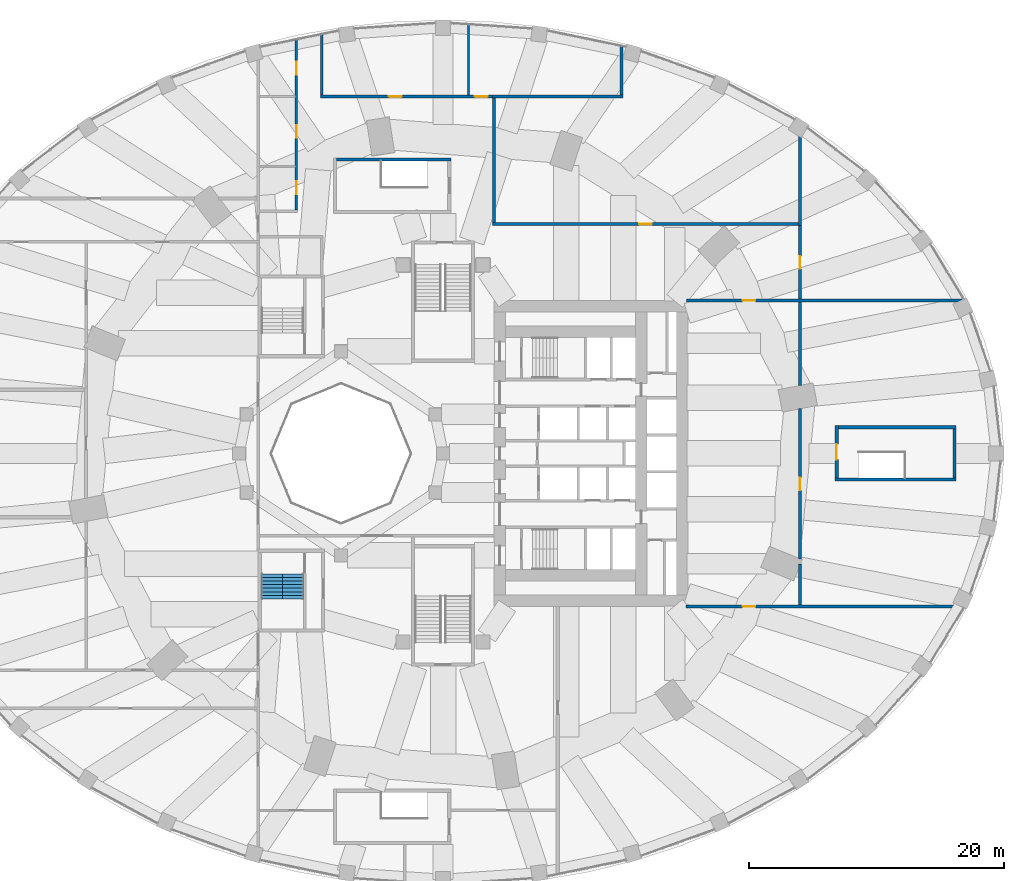
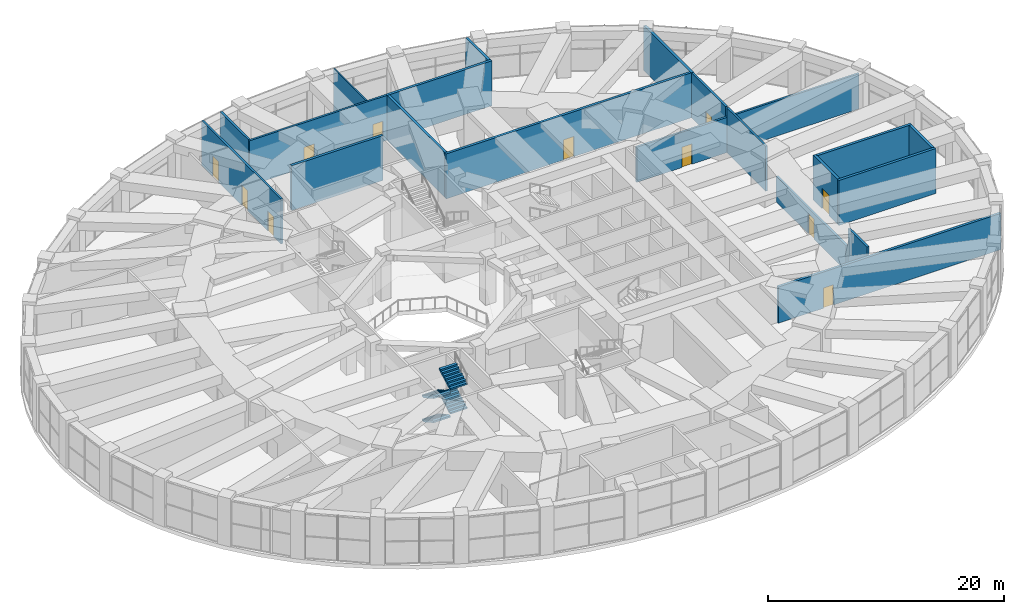
# One storey, part 24 of 30: 20 walls, 11 doors, 4 stair flights, 11 openings, 1 element without a shape of its own.
"""IFC4 building model written with IfcOpenShell, lengths in metres."""

from ifc_helpers import new_model, si_unit, direction, frame, frame_2d, origin, place, context, subcontext, project, spatial, polyline, rectangle, outline, extrude, material, layer, layer_set, type_object, element, fill, aggregate, save


model = new_model("IFC4")

# Units and contexts
model_context = context("Model", 3, precision=1e-05, world=origin(), true_north=direction((0.0, 1.0)))
body_context = subcontext(model_context, "Body", "Model", "MODEL_VIEW")
ifc_project = project(units=[si_unit("LENGTHUNIT", "METRE"), si_unit("AREAUNIT", "SQUARE_METRE"), si_unit("VOLUMEUNIT", "CUBIC_METRE"), si_unit("PLANEANGLEUNIT", "RADIAN"), si_unit("MASSUNIT", "GRAM", prefix="KILO")], contexts=[model_context])

# Site, building, storey
site_placement = place(None, origin())
site = spatial("IfcSite", under=ifc_project, at=site_placement, CompositionType="ELEMENT")
building_placement = place(site_placement, origin())
building = spatial("IfcBuilding", under=site, at=building_placement, Name="Taillehof Tower", CompositionType="ELEMENT")
storey_placement = place(building_placement, frame((0.0, 0.0, 12.5)))
storey = spatial("IfcBuildingStorey", under=building, at=storey_placement, Name="L02", CompositionType="ELEMENT", Elevation=12.5)

# Wall, opening, door
ifc_material_1 = material(Name="Calcium silicate blockwork", Category="masonry")
ifc_layer_1 = layer(ifc_material_1, 0.199951171875)
ifc_layer_set_1 = layer_set([ifc_layer_1], Name="Compartment wall EI 60 200 mm")
wall_type_1 = type_object("IfcWallType", Name="Compartment wall EI 60 200 mm", PredefinedType="PARTITIONING", material=ifc_layer_set_1)
wall_1_placement = place(storey_placement, frame((19.10009765625, 12.0, 0.0), z_axis=(0.0, 0.0, 1.0), x_axis=(1.0, 0.0, 0.0)))
wall_1 = element("IfcWall", 1, at=wall_1_placement, inside=storey, type_object=wall_type_1, Name="Wall L02-13 / L02-26", PredefinedType="PARTITIONING", context=body_context, shape_type="SweptSolid", body=[
    extrude(rectangle(XDim=21.766845703125, YDim=0.199951171875, at=frame_2d((10.88330078125, 0.0))), origin(), (0.0, 0.0, 1.0), 3.64990234375),
])
opening_1_placement = place(wall_1_placement, frame((4.39990234375, 0.0, 0.0)))
opening_1 = element("IfcOpeningElement", 2, at=opening_1_placement, cuts=wall_1, Name="Opening D0260", PredefinedType="OPENING", context=body_context, shape_type="SweptSolid", body=[
    extrude(rectangle(XDim=1.0, YDim=2.10009765625, at=frame_2d((0.5, 1.050048828125))), frame((0.0, 0.10986328125, 0.0), z_axis=(0.0, -1.0, 0.0), x_axis=(1.0, 0.0, 0.0)), (0.0, 0.0, 1.0), 0.219970703125),
])
ifc_material_2 = material(Name="Hollow metal door set")
door_type_1 = type_object("IfcDoorType", Name="Single door 1000 x 2100 FD60S", OperationType="SINGLE_SWING_LEFT", PredefinedType="DOOR", material=ifc_material_2)
door_1_placement = place(opening_1_placement, origin())
door_1 = element("IfcDoor", 3, at=door_1_placement, inside=storey, type_object=door_type_1, Name="Door D0260", OperationType="SINGLE_SWING_LEFT", OverallHeight=2.10009765625, OverallWidth=1.0, PredefinedType="DOOR", context=body_context, shape_type="SweptSolid", body=[
    extrude(rectangle(XDim=1.0, YDim=2.10009765625, at=frame_2d((0.5, 1.050048828125))), frame((0.0, 0.02490234375, 0.0), z_axis=(0.0, -1.0, 0.0), x_axis=(1.0, 0.0, 0.0)), (0.0, 0.0, 1.0), 0.050048828125),
])
fill(opening_1, door_1)

# Wall, openings, doors
wall_2_placement = place(storey_placement, frame((-9.60009765625, 28.0, 0.0), z_axis=(0.0, 0.0, 1.0), x_axis=(1.0, 0.0, 0.0)))
wall_2 = element("IfcWall", 4, at=wall_2_placement, inside=storey, type_object=wall_type_1, Name="Wall L02-10 / L02-26", PredefinedType="PARTITIONING", context=body_context, shape_type="SweptSolid", body=[
    extrude(rectangle(XDim=13.47509765625, YDim=0.199951171875, at=frame_2d((6.737548828125, 0.0))), origin(), (0.0, 0.0, 1.0), 4.64990234375),
])
opening_2_placement = place(wall_2_placement, frame((5.35009765625, 0.0, 0.0)))
opening_2 = element("IfcOpeningElement", 5, at=opening_2_placement, cuts=wall_2, Name="Opening D0272", PredefinedType="OPENING", context=body_context, shape_type="SweptSolid", body=[
    extrude(rectangle(XDim=1.0, YDim=2.10009765625, at=frame_2d((0.5, 1.050048828125))), frame((0.0, 0.10986328125, 0.0), z_axis=(0.0, -1.0, 0.0), x_axis=(1.0, 0.0, 0.0)), (0.0, 0.0, 1.0), 0.219970703125),
])
opening_3_placement = place(wall_2_placement, frame((12.0869140625, 0.0, 0.0)))
opening_3 = element("IfcOpeningElement", 6, at=opening_3_placement, cuts=wall_2, Name="Opening D0273", PredefinedType="OPENING", context=body_context, shape_type="SweptSolid", body=[
    extrude(rectangle(XDim=1.0, YDim=2.10009765625, at=frame_2d((0.5, 1.050048828125))), frame((0.0, 0.10986328125, 0.0), z_axis=(0.0, -1.0, 0.0), x_axis=(1.0, 0.0, 0.0)), (0.0, 0.0, 1.0), 0.219970703125),
])
door_2_placement = place(opening_2_placement, origin())
door_2 = element("IfcDoor", 7, at=door_2_placement, inside=storey, type_object=door_type_1, Name="Door D0272", OperationType="SINGLE_SWING_LEFT", OverallHeight=2.10009765625, OverallWidth=1.0, PredefinedType="DOOR", context=body_context, shape_type="SweptSolid", body=[
    extrude(rectangle(XDim=1.0, YDim=2.10009765625, at=frame_2d((0.5, 1.050048828125))), frame((0.0, 0.02490234375, 0.0), z_axis=(0.0, -1.0, 0.0), x_axis=(1.0, 0.0, 0.0)), (0.0, 0.0, 1.0), 0.050048828125),
])
fill(opening_2, door_2)
door_3_placement = place(opening_3_placement, origin())
door_3 = element("IfcDoor", 8, at=door_3_placement, inside=storey, type_object=door_type_1, Name="Door D0273", OperationType="SINGLE_SWING_LEFT", OverallHeight=2.10009765625, OverallWidth=1.0, PredefinedType="DOOR", context=body_context, shape_type="SweptSolid", body=[
    extrude(rectangle(XDim=1.0, YDim=2.10009765625, at=frame_2d((0.5, 1.050048828125))), frame((0.0, 0.02490234375, 0.0), z_axis=(0.0, -1.0, 0.0), x_axis=(1.0, 0.0, 0.0)), (0.0, 0.0, 1.0), 0.050048828125),
])
fill(opening_3, door_3)

wall_3_placement = place(storey_placement, frame((-11.5, 19.10009765625, 0.0), z_axis=(0.0, 0.0, 1.0), x_axis=(0.0, 1.0, 0.0)))
wall_3 = element("IfcWall", 9, at=wall_3_placement, inside=storey, type_object=wall_type_1, Name="Wall L02-06 / L02-26", PredefinedType="PARTITIONING", context=body_context, shape_type="SweptSolid", body=[
    extrude(rectangle(XDim=13.431884765625, YDim=0.199951171875, at=frame_2d((6.7158203125, 0.0))), origin(), (0.0, 0.0, 1.0), 4.64990234375),
])
opening_4_placement = place(wall_3_placement, frame((1.25, 0.0, 0.0)))
opening_4 = element("IfcOpeningElement", 10, at=opening_4_placement, cuts=wall_3, Name="Opening D0269", PredefinedType="OPENING", context=body_context, shape_type="SweptSolid", body=[
    extrude(rectangle(XDim=1.0, YDim=2.10009765625, at=frame_2d((0.5, 1.050048828125))), frame((0.0, 0.10986328125, 0.0), z_axis=(0.0, -1.0, 0.0), x_axis=(1.0, 0.0, 0.0)), (0.0, 0.0, 1.0), 0.219970703125),
])
opening_5_placement = place(wall_3_placement, frame((5.64990234375, 0.0, 0.0)))
opening_5 = element("IfcOpeningElement", 11, at=opening_5_placement, cuts=wall_3, Name="Opening D0271", PredefinedType="OPENING", context=body_context, shape_type="SweptSolid", body=[
    extrude(rectangle(XDim=1.0, YDim=2.10009765625, at=frame_2d((0.5, 1.050048828125))), frame((0.0, 0.10986328125, 0.0), z_axis=(0.0, -1.0, 0.0), x_axis=(1.0, 0.0, 0.0)), (0.0, 0.0, 1.0), 0.219970703125),
])
opening_6_placement = place(wall_3_placement, frame((10.615966796875, 0.0, 0.0)))
opening_6 = element("IfcOpeningElement", 12, at=opening_6_placement, cuts=wall_3, Name="Opening D0274", PredefinedType="OPENING", context=body_context, shape_type="SweptSolid", body=[
    extrude(rectangle(XDim=1.0, YDim=2.10009765625, at=frame_2d((0.5, 1.050048828125))), frame((0.0, 0.10986328125, 0.0), z_axis=(0.0, -1.0, 0.0), x_axis=(1.0, 0.0, 0.0)), (0.0, 0.0, 1.0), 0.219970703125),
])
door_4_placement = place(opening_4_placement, origin())
door_4 = element("IfcDoor", 13, at=door_4_placement, inside=storey, type_object=door_type_1, Name="Door D0269", OperationType="SINGLE_SWING_RIGHT", OverallHeight=2.10009765625, OverallWidth=1.0, PredefinedType="DOOR", context=body_context, shape_type="SweptSolid", body=[
    extrude(rectangle(XDim=1.0, YDim=2.10009765625, at=frame_2d((0.5, 1.050048828125))), frame((0.0, 0.02490234375, 0.0), z_axis=(0.0, -1.0, 0.0), x_axis=(1.0, 0.0, 0.0)), (0.0, 0.0, 1.0), 0.050048828125),
])
fill(opening_4, door_4)
door_5_placement = place(opening_5_placement, origin())
door_5 = element("IfcDoor", 14, at=door_5_placement, inside=storey, type_object=door_type_1, Name="Door D0271", OperationType="SINGLE_SWING_RIGHT", OverallHeight=2.10009765625, OverallWidth=1.0, PredefinedType="DOOR", context=body_context, shape_type="SweptSolid", body=[
    extrude(rectangle(XDim=1.0, YDim=2.10009765625, at=frame_2d((0.5, 1.050048828125))), frame((0.0, 0.02490234375, 0.0), z_axis=(0.0, -1.0, 0.0), x_axis=(1.0, 0.0, 0.0)), (0.0, 0.0, 1.0), 0.050048828125),
])
fill(opening_5, door_5)
door_6_placement = place(opening_6_placement, origin())
door_6 = element("IfcDoor", 15, at=door_6_placement, inside=storey, type_object=door_type_1, Name="Door D0274", OperationType="SINGLE_SWING_LEFT", OverallHeight=2.10009765625, OverallWidth=1.0, PredefinedType="DOOR", context=body_context, shape_type="SweptSolid", body=[
    extrude(rectangle(XDim=1.0, YDim=2.10009765625, at=frame_2d((0.5, 1.050048828125))), frame((0.0, 0.02490234375, 0.0), z_axis=(0.0, -1.0, 0.0), x_axis=(1.0, 0.0, 0.0)), (0.0, 0.0, 1.0), 0.050048828125),
])
fill(opening_6, door_6)

# Walls
wall_4_placement = place(storey_placement, frame((-9.5, 28.10009765625, 0.0), z_axis=(0.0, 0.0, 1.0), x_axis=(0.0, 1.0, 0.0)))
element("IfcWall", 16, at=wall_4_placement, inside=storey, type_object=wall_type_1, Name="Wall L02-10 / L02-26", PredefinedType="PARTITIONING", context=body_context, shape_type="SweptSolid", body=[
    extrude(rectangle(XDim=4.780517578125, YDim=0.199951171875, at=frame_2d((2.39013671875, 0.0))), origin(), (0.0, 0.0, 1.0), 4.64990234375),
])
wall_5_placement = place(storey_placement, frame((28.0, -11.875, 0.0), z_axis=(0.0, 0.0, 1.0), x_axis=(0.0, 1.0, 0.0)))
element("IfcWall", 17, at=wall_5_placement, inside=storey, type_object=wall_type_1, Name="Wall L02-13 / L02-14", PredefinedType="PARTITIONING", context=body_context, shape_type="SweptSolid", body=[
    extrude(rectangle(XDim=3.197998046875, YDim=0.199951171875, at=frame_2d((1.59912109375, 0.0))), origin(), (0.0, 0.0, 1.0), 4.64990234375),
])

# Wall, opening, door
wall_6_placement = place(storey_placement, frame((28.0, -8.297607421875, 0.0), z_axis=(0.0, 0.0, 1.0), x_axis=(0.0, 1.0, 0.0)))
wall_6 = element("IfcWall", 18, at=wall_6_placement, inside=storey, type_object=wall_type_1, Name="Wall L02-13 / L02-14", PredefinedType="PARTITIONING", context=body_context, shape_type="SweptSolid", body=[
    extrude(rectangle(XDim=11.822021484375, YDim=0.199951171875, at=frame_2d((5.9111328125, 0.0))), origin(), (0.0, 0.0, 1.0), 2.64990234375),
])
opening_7_placement = place(wall_6_placement, frame((5.41064453125, 0.0, 0.0)))
opening_7 = element("IfcOpeningElement", 19, at=opening_7_placement, cuts=wall_6, Name="Opening D0256", PredefinedType="OPENING", context=body_context, shape_type="SweptSolid", body=[
    extrude(rectangle(XDim=1.0, YDim=2.10009765625, at=frame_2d((0.5, 1.050048828125))), frame((0.0, 0.10986328125, 0.0), z_axis=(0.0, -1.0, 0.0), x_axis=(1.0, 0.0, 0.0)), (0.0, 0.0, 1.0), 0.219970703125),
])
door_7_placement = place(opening_7_placement, origin())
door_7 = element("IfcDoor", 20, at=door_7_placement, inside=storey, type_object=door_type_1, Name="Door D0256", OperationType="SINGLE_SWING_RIGHT", OverallHeight=2.10009765625, OverallWidth=1.0, PredefinedType="DOOR", context=body_context, shape_type="SweptSolid", body=[
    extrude(rectangle(XDim=1.0, YDim=2.10009765625, at=frame_2d((0.5, 1.050048828125))), frame((0.0, 0.02490234375, 0.0), z_axis=(0.0, -1.0, 0.0), x_axis=(1.0, 0.0, 0.0)), (0.0, 0.0, 1.0), 0.050048828125),
])
fill(opening_7, door_7)

# Wall
wall_7_placement = place(storey_placement, frame((28.0, 5.3154296875, 0.0), z_axis=(0.0, 0.0, 1.0), x_axis=(0.0, 1.0, 0.0)))
element("IfcWall", 21, at=wall_7_placement, inside=storey, type_object=wall_type_1, Name="Wall L02-13 / L02-14", PredefinedType="PARTITIONING", context=body_context, shape_type="SweptSolid", body=[
    extrude(rectangle(XDim=6.58447265625, YDim=0.199951171875, at=frame_2d((3.292236328125, 0.0))), origin(), (0.0, 0.0, 1.0), 4.64990234375),
])

# Wall, opening, door
wall_8_placement = place(storey_placement, frame((28.0, 12.10009765625, 0.0), z_axis=(0.0, 0.0, 1.0), x_axis=(0.0, 1.0, 0.0)))
wall_8 = element("IfcWall", 22, at=wall_8_placement, inside=storey, type_object=wall_type_1, Name="Wall L02-15 / L02-26", PredefinedType="PARTITIONING", context=body_context, shape_type="SweptSolid", body=[
    extrude(rectangle(XDim=5.77490234375, YDim=0.199951171875, at=frame_2d((2.887451171875, 0.0))), origin(), (0.0, 0.0, 1.0), 4.64990234375),
])
opening_8_placement = place(wall_8_placement, frame((2.387939453125, 0.0, 0.0)))
opening_8 = element("IfcOpeningElement", 23, at=opening_8_placement, cuts=wall_8, Name="Opening D0262", PredefinedType="OPENING", context=body_context, shape_type="SweptSolid", body=[
    extrude(rectangle(XDim=1.0, YDim=2.10009765625, at=frame_2d((0.5, 1.050048828125))), frame((0.0, 0.10986328125, 0.0), z_axis=(0.0, -1.0, 0.0), x_axis=(1.0, 0.0, 0.0)), (0.0, 0.0, 1.0), 0.219970703125),
])
door_8_placement = place(opening_8_placement, origin())
door_8 = element("IfcDoor", 24, at=door_8_placement, inside=storey, type_object=door_type_1, Name="Door D0262", OperationType="SINGLE_SWING_RIGHT", OverallHeight=2.10009765625, OverallWidth=1.0, PredefinedType="DOOR", context=body_context, shape_type="SweptSolid", body=[
    extrude(rectangle(XDim=1.0, YDim=2.10009765625, at=frame_2d((0.5, 1.050048828125))), frame((0.0, 0.02490234375, 0.0), z_axis=(0.0, -1.0, 0.0), x_axis=(1.0, 0.0, 0.0)), (0.0, 0.0, 1.0), 0.050048828125),
])
fill(opening_8, door_8)

ifc_material_3 = material(Name="Calcium silicate blockwork", Category="masonry")
ifc_layer_2 = layer(ifc_material_3, 0.25)
ifc_layer_set_2 = layer_set([ifc_layer_2], Name="Fire-resisting wall EI 120 250 mm")
wall_type_2 = type_object("IfcWallType", Name="Fire-resisting wall EI 120 250 mm", PredefinedType="PARTITIONING", material=ifc_layer_set_2)
wall_9_placement = place(storey_placement, frame((19.074951171875, -12.0, 0.0), z_axis=(0.0, 0.0, 1.0), x_axis=(1.0, 0.0, 0.0)))
wall_9 = element("IfcWall", 25, at=wall_9_placement, inside=storey, type_object=wall_type_2, Name="Wall L02-13 / L02-27", PredefinedType="PARTITIONING", context=body_context, shape_type="SweptSolid", body=[
    extrude(rectangle(XDim=21.8056640625, YDim=0.25, at=frame_2d((10.90283203125, 0.0))), origin(), (0.0, 0.0, 1.0), 3.75),
])
opening_9_placement = place(wall_9_placement, frame((4.425048828125, 0.0, 0.0)))
opening_9 = element("IfcOpeningElement", 26, at=opening_9_placement, cuts=wall_9, Name="Opening D0252", PredefinedType="OPENING", context=body_context, shape_type="SweptSolid", body=[
    extrude(rectangle(XDim=1.0, YDim=2.10009765625, at=frame_2d((0.5, 1.050048828125))), frame((0.0, 0.135009765625, 0.0), z_axis=(0.0, -1.0, 0.0), x_axis=(1.0, 0.0, 0.0)), (0.0, 0.0, 1.0), 0.27001953125),
])
ifc_material_4 = material(Name="Hollow metal door set")
door_type_2 = type_object("IfcDoorType", Name="Single door 1000 x 2100 FD120S", OperationType="SINGLE_SWING_LEFT", PredefinedType="DOOR", material=ifc_material_4)
door_9_placement = place(opening_9_placement, origin())
door_9 = element("IfcDoor", 27, at=door_9_placement, inside=storey, type_object=door_type_2, Name="Door D0252", OperationType="SINGLE_SWING_RIGHT", OverallHeight=2.10009765625, OverallWidth=1.0, PredefinedType="DOOR", context=body_context, shape_type="SweptSolid", body=[
    extrude(rectangle(XDim=1.0, YDim=2.10009765625, at=frame_2d((0.5, 1.050048828125))), frame((0.0, 0.02490234375, 0.0), z_axis=(0.0, -1.0, 0.0), x_axis=(1.0, 0.0, 0.0)), (0.0, 0.0, 1.0), 0.050048828125),
])
fill(opening_9, door_9)

wall_10_placement = place(storey_placement, frame((3.875, 18.0, 0.0), z_axis=(0.0, 0.0, 1.0), x_axis=(1.0, 0.0, 0.0)))
wall_10 = element("IfcWall", 28, at=wall_10_placement, inside=storey, type_object=wall_type_2, Name="Wall L02-12 / L02-26", PredefinedType="PARTITIONING", context=body_context, shape_type="SweptSolid", body=[
    extrude(rectangle(XDim=24.0, YDim=0.25, at=frame_2d((12.0, 0.0))), origin(), (0.0, 0.0, 1.0), 4.64990234375),
])
opening_10_placement = place(wall_10_placement, frame((11.5, 0.0, 0.0)))
opening_10 = element("IfcOpeningElement", 29, at=opening_10_placement, cuts=wall_10, Name="Opening D0267", PredefinedType="OPENING", context=body_context, shape_type="SweptSolid", body=[
    extrude(rectangle(XDim=1.0, YDim=2.10009765625, at=frame_2d((0.5, 1.050048828125))), frame((0.0, 0.135009765625, 0.0), z_axis=(0.0, -1.0, 0.0), x_axis=(1.0, 0.0, 0.0)), (0.0, 0.0, 1.0), 0.27001953125),
])
door_10_placement = place(opening_10_placement, origin())
door_10 = element("IfcDoor", 30, at=door_10_placement, inside=storey, type_object=door_type_2, Name="Door D0267", OperationType="SINGLE_SWING_RIGHT", OverallHeight=2.10009765625, OverallWidth=1.0, PredefinedType="DOOR", context=body_context, shape_type="SweptSolid", body=[
    extrude(rectangle(XDim=1.0, YDim=2.10009765625, at=frame_2d((0.5, 1.050048828125))), frame((0.0, 0.02490234375, 0.0), z_axis=(0.0, -1.0, 0.0), x_axis=(1.0, 0.0, 0.0)), (0.0, 0.0, 1.0), 0.050048828125),
])
fill(opening_10, door_10)

# Walls
wall_11_placement = place(storey_placement, frame((3.875, 28.0, 0.0), z_axis=(0.0, 0.0, 1.0), x_axis=(1.0, 0.0, 0.0)))
element("IfcWall", 31, at=wall_11_placement, inside=storey, type_object=wall_type_2, Name="Wall L02-11 / L02-12", PredefinedType="PARTITIONING", context=body_context, shape_type="SweptSolid", body=[
    extrude(rectangle(XDim=10.25, YDim=0.25, at=frame_2d((5.125, 0.0))), origin(), (0.0, 0.0, 1.0), 4.64990234375),
])
wall_12_placement = place(storey_placement, frame((4.0, 18.125, 0.0), z_axis=(0.0, 0.0, 1.0), x_axis=(0.0, 1.0, 0.0)))
element("IfcWall", 32, at=wall_12_placement, inside=storey, type_object=wall_type_2, Name="Wall L02-12 / L02-26", PredefinedType="PARTITIONING", context=body_context, shape_type="SweptSolid", body=[
    extrude(rectangle(XDim=9.75, YDim=0.25, at=frame_2d((4.875, 0.0))), origin(), (0.0, 0.0, 1.0), 4.64990234375),
])
wall_13_placement = place(storey_placement, frame((14.0, 28.125, 0.0), z_axis=(0.0, 0.0, 1.0), x_axis=(0.0, 1.0, 0.0)))
element("IfcWall", 33, at=wall_13_placement, inside=storey, type_object=wall_type_2, Name="Wall L02-11 / L02-12", PredefinedType="PARTITIONING", context=body_context, shape_type="SweptSolid", body=[
    extrude(rectangle(XDim=3.8056640625, YDim=0.25, at=frame_2d((1.90283203125, 0.0))), origin(), (0.0, 0.0, 1.0), 4.64990234375),
])
wall_14_placement = place(storey_placement, frame((28.0, 17.875, 0.0), z_axis=(0.0, 0.0, 1.0), x_axis=(0.0, 1.0, 0.0)))
element("IfcWall", 34, at=wall_14_placement, inside=storey, type_object=wall_type_2, Name="Wall L02-12 / L02-15", PredefinedType="PARTITIONING", context=body_context, shape_type="SweptSolid", body=[
    extrude(rectangle(XDim=8.071533203125, YDim=0.25, at=frame_2d((4.03564453125, 0.0))), origin(), (0.0, 0.0, 1.0), 4.64990234375),
])
ifc_material_5 = material(Name="Gypsum board partition on steel studs", Category="steel")
ifc_layer_3 = layer(ifc_material_5, 0.125)
ifc_layer_set_3 = layer_set([ifc_layer_3], Name="Partition wall EI 30 125 mm")
wall_type_3 = type_object("IfcWallType", Name="Partition wall EI 30 125 mm", PredefinedType="PARTITIONING", material=ifc_layer_set_3)
wall_15_placement = place(storey_placement, frame((2.0, 28.10009765625, 0.0), z_axis=(0.0, 0.0, 1.0), x_axis=(0.0, 1.0, 0.0)))
element("IfcWall", 35, at=wall_15_placement, inside=storey, type_object=wall_type_3, Name="Wall L02-10 / L02-11", PredefinedType="PARTITIONING", context=body_context, shape_type="SweptSolid", body=[
    extrude(rectangle(XDim=5.536865234375, YDim=0.125, at=frame_2d((2.7685546875, 0.0))), origin(), (0.0, 0.0, 1.0), 4.64990234375),
])
ifc_material_6 = material(Name="Concrete C40/50", Category="concrete")
ifc_layer_4 = layer(ifc_material_6, 0.25)
ifc_layer_set_4 = layer_set([ifc_layer_4], Name="Stair wall EI 120 250 mm")
wall_type_4 = type_object("IfcWallType", Name="Stair wall EI 120 250 mm", PredefinedType="SOLIDWALL", material=ifc_layer_set_4)
wall_16_placement = place(storey_placement, frame((30.75, -2.050048828125, 0.0), z_axis=(0.0, 0.0, 1.0), x_axis=(1.0, 0.0, 0.0)))
element("IfcWall", 36, at=wall_16_placement, inside=storey, type_object=wall_type_4, Name="Wall L02-05 / L02-14", PredefinedType="SOLIDWALL", context=body_context, shape_type="SweptSolid", body=[
    extrude(rectangle(XDim=9.5, YDim=0.25, at=frame_2d((4.75, 0.0))), origin(), (0.0, 0.0, 1.0), 4.64990234375),
])
wall_17_placement = place(storey_placement, frame((31.0, 2.050048828125, 0.0), z_axis=(0.0, 0.0, 1.0), x_axis=(1.0, 0.0, 0.0)))
element("IfcWall", 37, at=wall_17_placement, inside=storey, type_object=wall_type_4, Name="Wall L02-05 / L02-14", PredefinedType="SOLIDWALL", context=body_context, shape_type="SweptSolid", body=[
    extrude(rectangle(XDim=9.25, YDim=0.25, at=frame_2d((4.625, 0.0))), origin(), (0.0, 0.0, 1.0), 4.64990234375),
])
wall_18_placement = place(storey_placement, frame((-8.360107421875, 23.050048828125, 0.0), z_axis=(0.0, 0.0, 1.0), x_axis=(1.0, 0.0, 0.0)))
element("IfcWall", 38, at=wall_18_placement, inside=storey, type_object=wall_type_4, Name="Wall L02-03 / L02-26", PredefinedType="SOLIDWALL", context=body_context, shape_type="SweptSolid", body=[
    extrude(rectangle(XDim=8.97021484375, YDim=0.25, at=frame_2d((4.485107421875, 0.0))), origin(), (0.0, 0.0, 1.0), 4.64990234375),
])

# Wall, opening, door
wall_19_placement = place(storey_placement, frame((30.875, -1.925048828125, 0.0), z_axis=(0.0, 0.0, 1.0), x_axis=(0.0, 1.0, 0.0)))
wall_19 = element("IfcWall", 39, at=wall_19_placement, inside=storey, type_object=wall_type_4, Name="Wall L02-05 / L02-14", PredefinedType="SOLIDWALL", context=body_context, shape_type="SweptSolid", body=[
    extrude(rectangle(XDim=4.10009765625, YDim=0.25, at=frame_2d((2.050048828125, 0.0))), origin(), (0.0, 0.0, 1.0), 4.64990234375),
])
opening_11_placement = place(wall_19_placement, frame((1.449951171875, 0.0, 0.0)))
opening_11 = element("IfcOpeningElement", 40, at=opening_11_placement, cuts=wall_19, Name="Opening D0257", PredefinedType="OPENING", context=body_context, shape_type="SweptSolid", body=[
    extrude(rectangle(XDim=1.199951171875, YDim=2.10009765625, at=frame_2d((0.60009765625, 1.050048828125))), frame((0.0, 0.135009765625, 0.0), z_axis=(0.0, -1.0, 0.0), x_axis=(1.0, 0.0, 0.0)), (0.0, 0.0, 1.0), 0.27001953125),
])
ifc_material_7 = material(Name="Hollow metal door set")
door_type_3 = type_object("IfcDoorType", Name="Single door 1200 x 2100 FD120S", OperationType="SINGLE_SWING_LEFT", PredefinedType="DOOR", material=ifc_material_7)
door_11_placement = place(opening_11_placement, origin())
door_11 = element("IfcDoor", 41, at=door_11_placement, inside=storey, type_object=door_type_3, Name="Door D0257", OperationType="SINGLE_SWING_RIGHT", OverallHeight=2.10009765625, OverallWidth=1.199951171875, PredefinedType="DOOR", context=body_context, shape_type="SweptSolid", body=[
    extrude(rectangle(XDim=1.199951171875, YDim=2.10009765625, at=frame_2d((0.60009765625, 1.050048828125))), frame((0.0, 0.02490234375, 0.0), z_axis=(0.0, -1.0, 0.0), x_axis=(1.0, 0.0, 0.0)), (0.0, 0.0, 1.0), 0.050048828125),
])
fill(opening_11, door_11)

# Wall
wall_20_placement = place(storey_placement, frame((40.125, -1.925048828125, 0.0), z_axis=(0.0, 0.0, 1.0), x_axis=(0.0, 1.0, 0.0)))
element("IfcWall", 42, at=wall_20_placement, inside=storey, type_object=wall_type_4, Name="Wall L02-05 / L02-14", PredefinedType="SOLIDWALL", context=body_context, shape_type="SweptSolid", body=[
    extrude(rectangle(XDim=3.85009765625, YDim=0.25, at=frame_2d((1.925048828125, 0.0))), origin(), (0.0, 0.0, 1.0), 4.64990234375),
])

# Stair, stair flights
ifc_material_8 = material(Name="Concrete C40/50", Category="concrete")
stair_type = type_object("IfcStairType", Name="Exit stair half-turn", PredefinedType="HALF_TURN_STAIR", material=ifc_material_8)
stair_placement = place(storey_placement, origin())
stair = element("IfcStair", 43, at=stair_placement, inside=storey, type_object=stair_type, Name="Exit stair S4", PredefinedType="HALF_TURN_STAIR")
ifc_material_9 = material(Name="Concrete C40/50", Category="concrete")
stair_flight_type = type_object("IfcStairFlightType", Name="Stair flight 1650 riser 156.2 going 280", PredefinedType="STRAIGHT", material=ifc_material_9)
stair_flight_1_placement = place(storey_placement, frame((-13.425048828125, -9.449951171875, 0.0), z_axis=(0.0, 0.0, 1.0), x_axis=(0.0, -1.0, 0.0)))
stair_flight_1 = element("IfcStairFlight", 44, at=stair_flight_1_placement, type_object=stair_flight_type, Name="S4 flight 1", NumberOfRisers=8, NumberOfTreads=7, PredefinedType="STRAIGHT", RiserHeight=0.15625, TreadLength=0.28, context=body_context, shape_type="SweptSolid", body=[
    extrude(outline(polyline([(0.0, 0.0), (0.0, 0.00634765625), (0.0, 0.012451171875), (0.0, 0.018798828125), (0.0, 0.02490234375), (0.0, 0.03125), (0.0, 0.03759765625), (0.0, 0.043701171875), (0.0, 0.050048828125), (0.0, 0.05615234375), (0.0, 0.0625), (0.0, 0.06884765625), (0.0, 0.074951171875), (0.0, 0.081298828125), (0.0, 0.08740234375), (0.0, 0.09375), (0.0, 0.10009765625), (0.0, 0.106201171875), (0.0, 0.112548828125), (0.0, 0.11865234375), (0.0, 0.125), (0.0, 0.13134765625), (0.0, 0.137451171875), (0.0, 0.143798828125), (0.0, 0.14990234375), (0.0, 0.15625), (0.280029296875, 0.15625), (0.280029296875, 0.3125), (0.56005859375, 0.3125), (0.56005859375, 0.46875), (0.840087890625, 0.46875), (0.840087890625, 0.625), (1.1201171875, 0.625), (1.1201171875, 0.78125), (1.39990234375, 0.78125), (1.39990234375, 0.9375), (1.679931640625, 0.9375), (1.679931640625, 1.09375), (1.9599609375, 1.09375), (1.9599609375, 1.0869140625), (1.9599609375, 1.080078125), (1.9599609375, 1.0732421875), (1.9599609375, 1.066162109375), (1.9599609375, 1.059326171875), (1.9599609375, 1.052490234375), (1.9599609375, 1.045654296875), (1.9599609375, 1.038818359375), (1.9599609375, 1.031982421875), (1.9599609375, 1.025146484375), (1.9599609375, 1.018310546875), (1.9599609375, 1.01123046875), (1.9599609375, 1.00439453125), (1.9599609375, 0.99755859375), (1.9599609375, 0.99072265625), (1.9599609375, 0.98388671875), (1.9599609375, 0.97705078125), (1.9599609375, 0.97021484375), (1.9599609375, 0.96337890625), (1.9599609375, 0.956298828125), (1.9599609375, 0.949462890625), (1.9599609375, 0.942626953125), (1.9599609375, 0.935791015625), (1.9599609375, 0.928955078125), (1.9599609375, 0.922119140625), (0.3076171875, 0.0), (0.0, 0.0)])), frame((0.0, 0.824951171875, 0.0), z_axis=(0.0, -1.0, 0.0), x_axis=(1.0, 0.0, 0.0)), (0.0, 0.0, 1.0), 1.65),
])
stair_flight_2_placement = place(storey_placement, frame((-11.77490234375, -11.409912109375, 1.25), z_axis=(0.0, 0.0, 1.0), x_axis=(0.0, 1.0, 0.0)))
stair_flight_2 = element("IfcStairFlight", 45, at=stair_flight_2_placement, type_object=stair_flight_type, Name="S4 flight 2", NumberOfRisers=8, NumberOfTreads=7, PredefinedType="STRAIGHT", RiserHeight=0.15625, TreadLength=0.28, context=body_context, shape_type="SweptSolid", body=[
    extrude(outline(polyline([(0.0, 0.0), (0.0, 0.00634765625), (0.0, 0.012451171875), (0.0, 0.018798828125), (0.0, 0.02490234375), (0.0, 0.03125), (0.0, 0.03759765625), (0.0, 0.043701171875), (0.0, 0.050048828125), (0.0, 0.05615234375), (0.0, 0.0625), (0.0, 0.06884765625), (0.0, 0.074951171875), (0.0, 0.081298828125), (0.0, 0.08740234375), (0.0, 0.09375), (0.0, 0.10009765625), (0.0, 0.106201171875), (0.0, 0.112548828125), (0.0, 0.11865234375), (0.0, 0.125), (0.0, 0.13134765625), (0.0, 0.137451171875), (0.0, 0.143798828125), (0.0, 0.14990234375), (0.0, 0.15625), (0.280029296875, 0.15625), (0.280029296875, 0.3125), (0.56005859375, 0.3125), (0.56005859375, 0.46875), (0.840087890625, 0.46875), (0.840087890625, 0.625), (1.1201171875, 0.625), (1.1201171875, 0.78125), (1.39990234375, 0.78125), (1.39990234375, 0.9375), (1.679931640625, 0.9375), (1.679931640625, 1.09375), (1.9599609375, 1.09375), (1.9599609375, 1.0869140625), (1.9599609375, 1.080078125), (1.9599609375, 1.0732421875), (1.9599609375, 1.066162109375), (1.9599609375, 1.059326171875), (1.9599609375, 1.052490234375), (1.9599609375, 1.045654296875), (1.9599609375, 1.038818359375), (1.9599609375, 1.031982421875), (1.9599609375, 1.025146484375), (1.9599609375, 1.018310546875), (1.9599609375, 1.01123046875), (1.9599609375, 1.00439453125), (1.9599609375, 0.99755859375), (1.9599609375, 0.99072265625), (1.9599609375, 0.98388671875), (1.9599609375, 0.97705078125), (1.9599609375, 0.97021484375), (1.9599609375, 0.96337890625), (1.9599609375, 0.956298828125), (1.9599609375, 0.949462890625), (1.9599609375, 0.942626953125), (1.9599609375, 0.935791015625), (1.9599609375, 0.928955078125), (1.9599609375, 0.922119140625), (0.3076171875, 0.0), (0.0, 0.0)])), frame((0.0, 0.824951171875, 0.0), z_axis=(0.0, -1.0, 0.0), x_axis=(1.0, 0.0, 0.0)), (0.0, 0.0, 1.0), 1.65),
])
stair_flight_3_placement = place(storey_placement, frame((-13.425048828125, -9.449951171875, 2.5), z_axis=(0.0, 0.0, 1.0), x_axis=(0.0, -1.0, 0.0)))
stair_flight_3 = element("IfcStairFlight", 46, at=stair_flight_3_placement, type_object=stair_flight_type, Name="S4 flight 3", NumberOfRisers=8, NumberOfTreads=7, PredefinedType="STRAIGHT", RiserHeight=0.15625, TreadLength=0.28, context=body_context, shape_type="SweptSolid", body=[
    extrude(outline(polyline([(0.0, 0.0), (0.0, 0.00634765625), (0.0, 0.012451171875), (0.0, 0.018798828125), (0.0, 0.02490234375), (0.0, 0.03125), (0.0, 0.03759765625), (0.0, 0.043701171875), (0.0, 0.050048828125), (0.0, 0.05615234375), (0.0, 0.0625), (0.0, 0.06884765625), (0.0, 0.074951171875), (0.0, 0.081298828125), (0.0, 0.08740234375), (0.0, 0.09375), (0.0, 0.10009765625), (0.0, 0.106201171875), (0.0, 0.112548828125), (0.0, 0.11865234375), (0.0, 0.125), (0.0, 0.13134765625), (0.0, 0.137451171875), (0.0, 0.143798828125), (0.0, 0.14990234375), (0.0, 0.15625), (0.280029296875, 0.15625), (0.280029296875, 0.3125), (0.56005859375, 0.3125), (0.56005859375, 0.46875), (0.840087890625, 0.46875), (0.840087890625, 0.625), (1.1201171875, 0.625), (1.1201171875, 0.78125), (1.39990234375, 0.78125), (1.39990234375, 0.9375), (1.679931640625, 0.9375), (1.679931640625, 1.09375), (1.9599609375, 1.09375), (1.9599609375, 1.0869140625), (1.9599609375, 1.080078125), (1.9599609375, 1.0732421875), (1.9599609375, 1.066162109375), (1.9599609375, 1.059326171875), (1.9599609375, 1.052490234375), (1.9599609375, 1.045654296875), (1.9599609375, 1.038818359375), (1.9599609375, 1.031982421875), (1.9599609375, 1.025146484375), (1.9599609375, 1.018310546875), (1.9599609375, 1.01123046875), (1.9599609375, 1.00439453125), (1.9599609375, 0.99755859375), (1.9599609375, 0.99072265625), (1.9599609375, 0.98388671875), (1.9599609375, 0.97705078125), (1.9599609375, 0.97021484375), (1.9599609375, 0.96337890625), (1.9599609375, 0.956298828125), (1.9599609375, 0.949462890625), (1.9599609375, 0.942626953125), (1.9599609375, 0.935791015625), (1.9599609375, 0.928955078125), (1.9599609375, 0.922119140625), (0.3076171875, 0.0), (0.0, 0.0)])), frame((0.0, 0.824951171875, 0.0), z_axis=(0.0, -1.0, 0.0), x_axis=(1.0, 0.0, 0.0)), (0.0, 0.0, 1.0), 1.65),
])
stair_flight_4_placement = place(storey_placement, frame((-11.77490234375, -11.409912109375, 3.75), z_axis=(0.0, 0.0, 1.0), x_axis=(0.0, 1.0, 0.0)))
stair_flight_4 = element("IfcStairFlight", 47, at=stair_flight_4_placement, type_object=stair_flight_type, Name="S4 flight 4", NumberOfRisers=8, NumberOfTreads=7, PredefinedType="STRAIGHT", RiserHeight=0.15625, TreadLength=0.28, context=body_context, shape_type="SweptSolid", body=[
    extrude(outline(polyline([(0.0, 0.0), (0.0, 0.00634765625), (0.0, 0.012451171875), (0.0, 0.018798828125), (0.0, 0.02490234375), (0.0, 0.03125), (0.0, 0.03759765625), (0.0, 0.043701171875), (0.0, 0.050048828125), (0.0, 0.05615234375), (0.0, 0.0625), (0.0, 0.06884765625), (0.0, 0.074951171875), (0.0, 0.081298828125), (0.0, 0.08740234375), (0.0, 0.09375), (0.0, 0.10009765625), (0.0, 0.106201171875), (0.0, 0.112548828125), (0.0, 0.11865234375), (0.0, 0.125), (0.0, 0.13134765625), (0.0, 0.137451171875), (0.0, 0.143798828125), (0.0, 0.14990234375), (0.0, 0.15625), (0.280029296875, 0.15625), (0.280029296875, 0.3125), (0.56005859375, 0.3125), (0.56005859375, 0.46875), (0.840087890625, 0.46875), (0.840087890625, 0.625), (1.1201171875, 0.625), (1.1201171875, 0.78125), (1.39990234375, 0.78125), (1.39990234375, 0.9375), (1.679931640625, 0.9375), (1.679931640625, 1.09375), (1.9599609375, 1.09375), (1.9599609375, 1.0869140625), (1.9599609375, 1.080078125), (1.9599609375, 1.0732421875), (1.9599609375, 1.066162109375), (1.9599609375, 1.059326171875), (1.9599609375, 1.052490234375), (1.9599609375, 1.045654296875), (1.9599609375, 1.038818359375), (1.9599609375, 1.031982421875), (1.9599609375, 1.025146484375), (1.9599609375, 1.018310546875), (1.9599609375, 1.01123046875), (1.9599609375, 1.00439453125), (1.9599609375, 0.99755859375), (1.9599609375, 0.99072265625), (1.9599609375, 0.98388671875), (1.9599609375, 0.97705078125), (1.9599609375, 0.97021484375), (1.9599609375, 0.96337890625), (1.9599609375, 0.956298828125), (1.9599609375, 0.949462890625), (1.9599609375, 0.942626953125), (1.9599609375, 0.935791015625), (1.9599609375, 0.928955078125), (1.9599609375, 0.922119140625), (0.3076171875, 0.0), (0.0, 0.0)])), frame((0.0, 0.824951171875, 0.0), z_axis=(0.0, -1.0, 0.0), x_axis=(1.0, 0.0, 0.0)), (0.0, 0.0, 1.0), 1.65),
])
aggregate(stair, [stair_flight_1, stair_flight_2, stair_flight_3, stair_flight_4])

save(model, "model.ifc")
